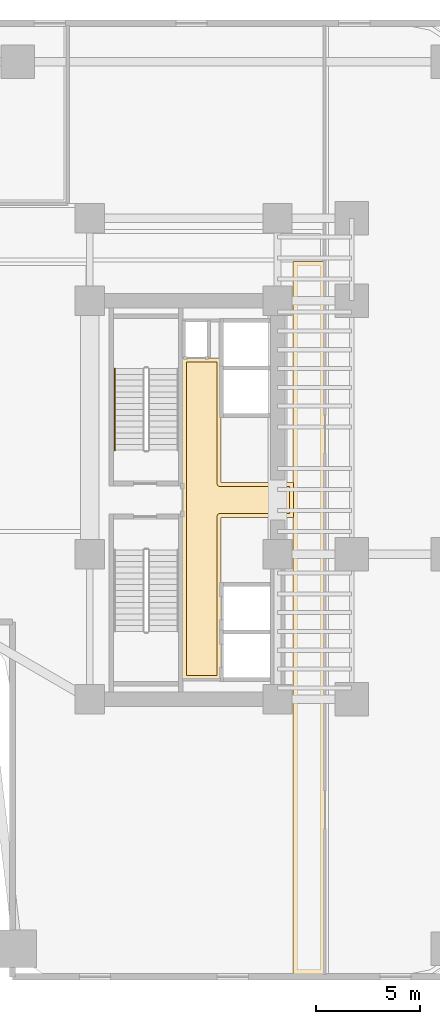
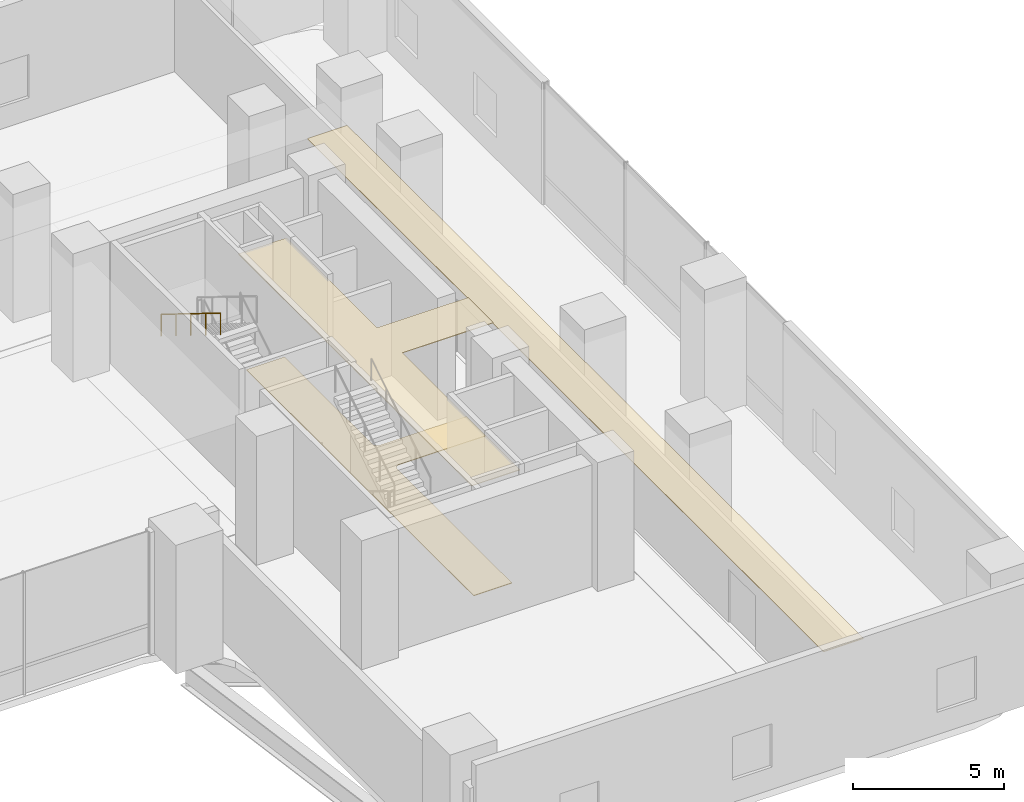
# One storey, part 36 of 39: 3 coverings, 1 railing.
"""IFC4 building model written with IfcOpenShell, lengths in metres."""

from ifc_helpers import new_model, si_unit, direction, frame, origin, origin_2d, place, context, subcontext, project, spatial, polyline, circle, outline, extrude, material, layer, layer_set, type_object, element, save


model = new_model("IFC4")

# Units and contexts
model_context = context("Model", 3, precision=1e-05, world=origin(), true_north=direction((0.0, 1.0)))
body_context = subcontext(model_context, "Body", "Model", "MODEL_VIEW")
ifc_project = project(units=[si_unit("LENGTHUNIT", "METRE"), si_unit("AREAUNIT", "SQUARE_METRE"), si_unit("VOLUMEUNIT", "CUBIC_METRE"), si_unit("PLANEANGLEUNIT", "RADIAN"), si_unit("MASSUNIT", "GRAM", prefix="KILO")], contexts=[model_context])

# Site, building, storey
site_placement = place(None, origin())
site = spatial("IfcSite", under=ifc_project, at=site_placement, CompositionType="ELEMENT")
building_placement = place(site_placement, origin())
building = spatial("IfcBuilding", under=site, at=building_placement, Name="Valdorenza Pilgrim Sanctuary Tower", CompositionType="ELEMENT")
storey_placement = place(building_placement, frame((0.0, 0.0, 5.199951171875)))
storey = spatial("IfcBuildingStorey", under=building, at=storey_placement, Name="L01", CompositionType="ELEMENT", Elevation=5.199951171875)

# Coverings
ifc_material_1 = material(Name="Micro-perforated acoustic mineral ceiling tile", Category="gypsum")
ifc_layer_1 = layer(ifc_material_1, 0.02490234375, Name="Micro-perforated acoustic mineral ceiling tile")
ifc_layer_set_1 = layer_set([ifc_layer_1], Name="Micro-perforated acoustic mineral ceiling tile")
covering_type_1 = type_object("IfcCoveringType", Name="COV-CLG-ACU", PredefinedType="CEILING", material=ifc_layer_set_1)
covering_1_placement = place(storey_placement, frame((0.0, 0.0, 4.6201171875)))
element("IfcCovering", 1, at=covering_1_placement, inside=storey, type_object=covering_type_1, Name="L01 Core B Passenger Lift Lobby Acoustic Ceiling", PredefinedType="CEILING", context=body_context, shape_type="SweptSolid", body=[
    extrude(outline(polyline([(20.287109375, -0.814697265625), (20.287109375, 0.814697265625), (20.28662109375, 0.815185546875), (20.2861328125, 0.81640625), (20.28564453125, 0.81787109375), (20.285400390625, 0.819091796875), (20.28515625, 0.820556640625), (20.284912109375, 0.822021484375), (20.284912109375, 6.800048828125), (20.28515625, 6.801513671875), (20.285400390625, 6.802978515625), (20.28564453125, 6.804443359375), (20.2861328125, 6.8056640625), (20.286865234375, 6.80712890625), (20.28759765625, 6.808349609375), (20.288330078125, 6.8095703125), (20.289306640625, 6.810546875), (20.29052734375, 6.8115234375), (20.291748046875, 6.8125), (20.29296875, 6.813232421875), (20.294189453125, 6.81396484375), (20.295654296875, 6.814453125), (20.297119140625, 6.814697265625), (20.298583984375, 6.81494140625), (20.300048828125, 6.81494140625), (20.347900390625, 6.81494140625), (20.349365234375, 6.81494140625), (20.350830078125, 6.814697265625), (20.352294921875, 6.814453125), (20.353515625, 6.81396484375), (20.35498046875, 6.813232421875), (20.35546875, 6.81298828125), (21.544677734375, 6.81298828125), (21.545166015625, 6.813232421875), (21.54638671875, 6.81396484375), (21.5478515625, 6.814453125), (21.54931640625, 6.814697265625), (21.550537109375, 6.81494140625), (21.552001953125, 6.81494140625), (22.1201171875, 6.81494140625), (22.12158203125, 6.81494140625), (22.122802734375, 6.814697265625), (22.12451171875, 6.814453125), (22.125732421875, 6.81396484375), (22.127197265625, 6.813232421875), (22.12841796875, 6.8125), (22.12939453125, 6.8115234375), (22.130615234375, 6.810546875), (22.131591796875, 6.8095703125), (22.132568359375, 6.808349609375), (22.13330078125, 6.80712890625), (22.1337890625, 6.8056640625), (22.134521484375, 6.804443359375), (22.134765625, 6.802978515625), (22.135009765625, 6.801513671875), (22.135009765625, 6.800048828125), (22.135009765625, 0.8349609375), (25.60009765625, 0.8349609375), (25.6015625, 0.8349609375), (25.602783203125, 0.834716796875), (25.6044921875, 0.83447265625), (25.605712890625, 0.833984375), (25.607177734375, 0.833251953125), (25.6083984375, 0.83251953125), (25.609619140625, 0.83154296875), (25.610595703125, 0.83056640625), (25.611572265625, 0.82958984375), (25.612548828125, 0.828369140625), (25.61328125, 0.8271484375), (25.614013671875, 0.82568359375), (25.614501953125, 0.824462890625), (25.61474609375, 0.822998046875), (25.614990234375, 0.821533203125), (25.614990234375, 0.820068359375), (25.614990234375, -0.820068359375), (25.614990234375, -0.821533203125), (25.61474609375, -0.822998046875), (25.614501953125, -0.824462890625), (25.614013671875, -0.82568359375), (25.61328125, -0.8271484375), (25.612548828125, -0.828369140625), (25.611572265625, -0.82958984375), (25.610595703125, -0.83056640625), (25.609619140625, -0.83154296875), (25.6083984375, -0.83251953125), (25.607177734375, -0.833251953125), (25.605712890625, -0.833984375), (25.6044921875, -0.83447265625), (25.602783203125, -0.834716796875), (25.6015625, -0.8349609375), (25.60009765625, -0.8349609375), (22.135009765625, -0.8349609375), (22.135009765625, -8.60009765625), (22.135009765625, -8.6015625), (22.134765625, -8.602783203125), (22.134521484375, -8.6044921875), (22.1337890625, -8.605712890625), (22.13330078125, -8.607177734375), (22.132568359375, -8.6083984375), (22.131591796875, -8.609619140625), (22.130615234375, -8.610595703125), (22.12939453125, -8.611572265625), (22.12841796875, -8.612548828125), (22.127197265625, -8.61328125), (22.125732421875, -8.614013671875), (22.12451171875, -8.614501953125), (22.122802734375, -8.61474609375), (22.12158203125, -8.614990234375), (22.1201171875, -8.614990234375), (20.300048828125, -8.614990234375), (20.298583984375, -8.614990234375), (20.297119140625, -8.61474609375), (20.295654296875, -8.614501953125), (20.294189453125, -8.614013671875), (20.29296875, -8.61328125), (20.291748046875, -8.612548828125), (20.29052734375, -8.611572265625), (20.289306640625, -8.610595703125), (20.288330078125, -8.609619140625), (20.28759765625, -8.6083984375), (20.286865234375, -8.607177734375), (20.2861328125, -8.605712890625), (20.28564453125, -8.6044921875), (20.285400390625, -8.602783203125), (20.28515625, -8.6015625), (20.284912109375, -8.60009765625), (20.284912109375, -0.822021484375), (20.28515625, -0.820556640625), (20.285400390625, -0.819091796875), (20.28564453125, -0.81787109375), (20.2861328125, -0.81640625), (20.28662109375, -0.815185546875), (20.287109375, -0.814697265625)])), origin(), (0.0, 0.0, 1.0), 0.02490234375),
])
covering_2_placement = place(storey_placement, frame((0.0, 0.0, 4.6201171875)))
element("IfcCovering", 2, at=covering_2_placement, inside=storey, type_object=covering_type_1, Name="L01 L01 Podium East Corridor Acoustic Ceiling", PredefinedType="CEILING", context=body_context, shape_type="SweptSolid", body=[
    extrude(outline(polyline([(25.5869140625, -0.814697265625), (25.5869140625, 0.814697265625), (25.586669921875, 0.815185546875), (25.586181640625, 0.81640625), (25.585693359375, 0.81787109375), (25.585205078125, 0.819091796875), (25.585205078125, 0.820556640625), (25.5849609375, 0.822021484375), (25.5849609375, 11.41796875), (25.585205078125, 11.41943359375), (25.585205078125, 11.4208984375), (25.585693359375, 11.42236328125), (25.586181640625, 11.423583984375), (25.5869140625, 11.425048828125), (25.58740234375, 11.42626953125), (25.58837890625, 11.427490234375), (25.58935546875, 11.4287109375), (25.590576171875, 11.4296875), (25.591796875, 11.430419921875), (25.593017578125, 11.43115234375), (25.59423828125, 11.431884765625), (25.595703125, 11.432373046875), (25.59716796875, 11.4326171875), (25.598388671875, 11.432861328125), (25.60009765625, 11.43310546875), (27.097900390625, 11.43310546875), (27.099609375, 11.432861328125), (27.100830078125, 11.4326171875), (27.102294921875, 11.432373046875), (27.103759765625, 11.431884765625), (27.10498046875, 11.43115234375), (27.106201171875, 11.430419921875), (27.107421875, 11.4296875), (27.108642578125, 11.4287109375), (27.109619140625, 11.427490234375), (27.110595703125, 11.42626953125), (27.111083984375, 11.425048828125), (27.11181640625, 11.423583984375), (27.1123046875, 11.42236328125), (27.11279296875, 11.4208984375), (27.11279296875, 11.41943359375), (27.113037109375, 11.41796875), (27.113037109375, -22.699951171875), (27.11279296875, -22.701416015625), (27.11279296875, -22.702880859375), (27.1123046875, -22.704345703125), (27.11181640625, -22.705810546875), (27.111083984375, -22.70703125), (27.110595703125, -22.708251953125), (27.109619140625, -22.70947265625), (27.108642578125, -22.710693359375), (27.107421875, -22.711669921875), (27.106201171875, -22.71240234375), (27.10498046875, -22.713134765625), (27.103759765625, -22.7138671875), (27.102294921875, -22.71435546875), (27.100830078125, -22.714599609375), (27.099609375, -22.71484375), (27.097900390625, -22.715087890625), (25.60009765625, -22.715087890625), (25.598388671875, -22.71484375), (25.59716796875, -22.714599609375), (25.595703125, -22.71435546875), (25.59423828125, -22.7138671875), (25.593017578125, -22.713134765625), (25.591796875, -22.71240234375), (25.590576171875, -22.711669921875), (25.58935546875, -22.710693359375), (25.58837890625, -22.70947265625), (25.58740234375, -22.708251953125), (25.5869140625, -22.70703125), (25.586181640625, -22.705810546875), (25.585693359375, -22.704345703125), (25.585205078125, -22.702880859375), (25.585205078125, -22.701416015625), (25.5849609375, -22.699951171875), (25.5849609375, -0.822021484375), (25.585205078125, -0.820556640625), (25.585205078125, -0.819091796875), (25.585693359375, -0.81787109375), (25.586181640625, -0.81640625), (25.586669921875, -0.815185546875), (25.5869140625, -0.814697265625)])), origin(), (0.0, 0.0, 1.0), 0.02490234375),
])
ifc_material_2 = material(Name="Honed travertine stone flooring", Category="masonry")
ifc_layer_2 = layer(ifc_material_2, 0.030029296875, Name="Honed travertine stone flooring")
ifc_layer_set_2 = layer_set([ifc_layer_2], Name="Honed travertine stone flooring")
covering_type_2 = type_object("IfcCoveringType", Name="COV-FLR-TRV", PredefinedType="FLOORING", material=ifc_layer_set_2)
covering_3_placement = place(storey_placement, origin())
element("IfcCovering", 3, at=covering_3_placement, inside=storey, type_object=covering_type_2, Name="L01 Core B Passenger Lift Lobby Flooring", PredefinedType="FLOORING", context=body_context, shape_type="SweptSolid", body=[
    extrude(outline(polyline([(20.47998046875, 6.617919921875), (21.550048828125, 6.617919921875), (21.550537109375, 6.617919921875), (21.93994140625, 6.619384765625), (21.93994140625, 0.820068359375), (21.94091796875, 0.802490234375), (21.943603515625, 0.784912109375), (21.94775390625, 0.767578125), (21.95361328125, 0.751220703125), (21.961181640625, 0.735107421875), (21.97021484375, 0.719970703125), (21.98095703125, 0.705810546875), (21.99267578125, 0.692626953125), (22.005859375, 0.680908203125), (22.02001953125, 0.67041015625), (22.03515625, 0.661376953125), (22.051025390625, 0.65380859375), (22.067626953125, 0.647705078125), (22.0849609375, 0.6435546875), (22.102294921875, 0.640869140625), (22.1201171875, 0.639892578125), (25.419921875, 0.639892578125), (25.419921875, -0.639892578125), (22.1201171875, -0.639892578125), (22.102294921875, -0.640869140625), (22.0849609375, -0.6435546875), (22.067626953125, -0.647705078125), (22.051025390625, -0.65380859375), (22.03515625, -0.661376953125), (22.02001953125, -0.67041015625), (22.005859375, -0.680908203125), (21.99267578125, -0.692626953125), (21.98095703125, -0.705810546875), (21.97021484375, -0.719970703125), (21.961181640625, -0.735107421875), (21.95361328125, -0.751220703125), (21.94775390625, -0.767578125), (21.943603515625, -0.784912109375), (21.94091796875, -0.802490234375), (21.93994140625, -0.820068359375), (21.93994140625, -8.419921875), (20.47998046875, -8.419921875), (20.47998046875, -0.846923828125), (20.47998046875, -0.8466796875), (20.47998046875, -0.8466796875), (20.481689453125, -0.8291015625), (20.481689453125, -0.828857421875), (20.48193359375, -0.820068359375), (20.48193359375, 0.820068359375), (20.47998046875, 6.617919921875)])), origin(), (0.0, 0.0, 1.0), 0.025146484375),
])

# Railing
ifc_material_3 = material(Name="Brushed stainless steel Grade 316", Category="steel")
railing_type = type_object("IfcRailingType", Name="RLG-HND-920", PredefinedType="HANDRAIL", material=ifc_material_3)
railing_placement = place(storey_placement, frame((17.050048828125, 6.300048828125, 2.7734375)))
element("IfcRailing", 4, at=railing_placement, inside=storey, type_object=railing_type, Name="L01 ST-B1 stair handrail 2", PredefinedType="HANDRAIL", context=body_context, shape_type="SweptSolid", body=[
    extrude(circle(Radius=0.02392578125, at=origin_2d()), frame((0.0, 0.0, 0.8759765625), z_axis=(0.0, -0.850289973577, 0.526314507528), x_axis=(1.0, 0.0, 0.0)), (0.0, 0.0, 1.0), 4.6103515625),
    extrude(circle(Radius=0.02099609375, at=origin_2d()), origin(), (0.0, 0.0, 1.0), 0.851806640625),
    extrude(circle(Radius=0.02099609375, at=origin_2d()), frame((0.0, -0.97998046875, 0.606689453125)), (0.0, 0.0, 1.0), 0.851806640625),
    extrude(circle(Radius=0.02099609375, at=origin_2d()), frame((0.0, -1.9599609375, 1.21337890625)), (0.0, 0.0, 1.0), 0.851806640625),
    extrude(circle(Radius=0.02099609375, at=origin_2d()), frame((0.0, -2.940185546875, 1.81982421875)), (0.0, 0.0, 1.0), 0.851806640625),
    extrude(circle(Radius=0.02099609375, at=origin_2d()), frame((0.0, -3.920166015625, 2.426513671875)), (0.0, 0.0, 1.0), 0.851806640625),
])

save(model, "model.ifc")
